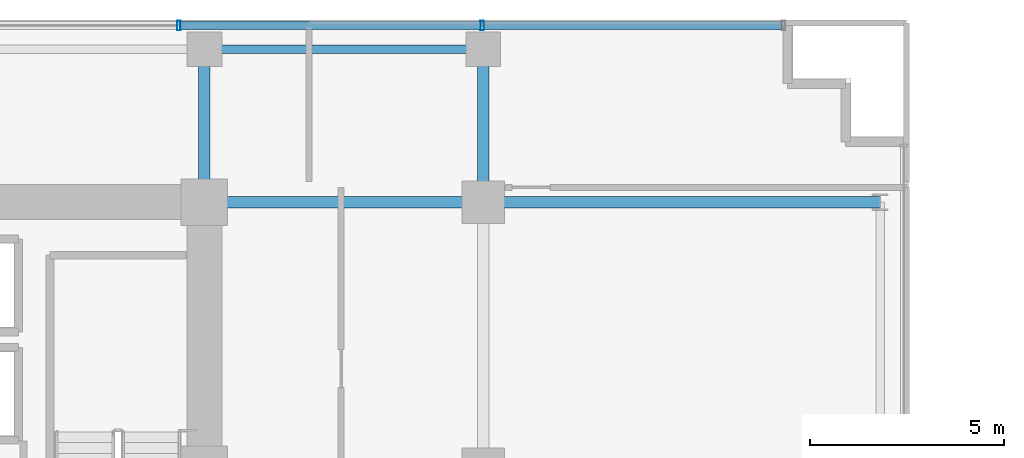
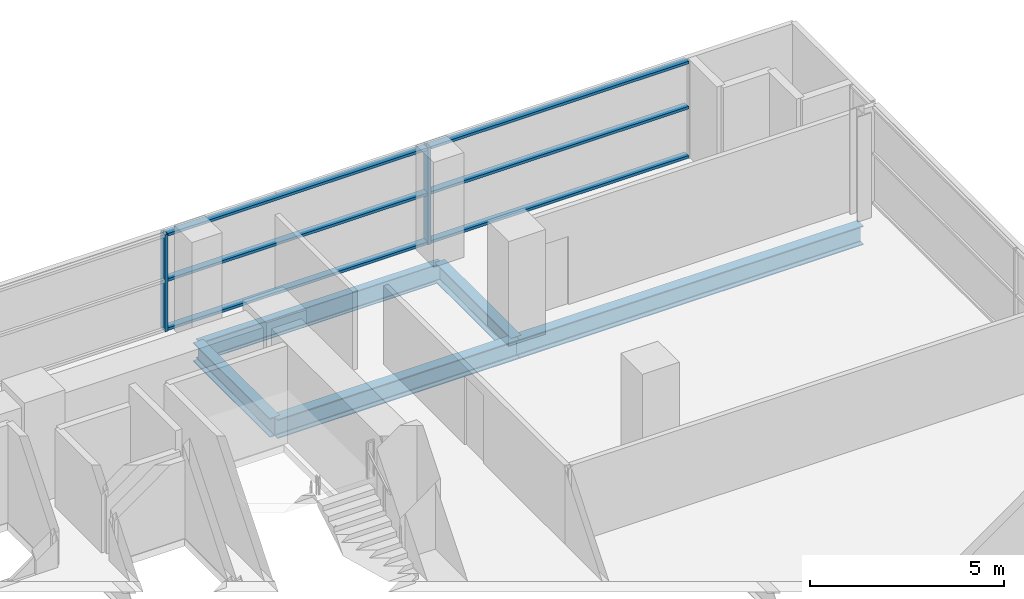
# One storey, part 16 of 26: 8 members, 5 beams, 1 element without a shape of its own.
"""IFC4 building model written with IfcOpenShell, lengths in metres."""

from ifc_helpers import new_model, si_unit, direction, frame, origin, origin_2d, place, context, subcontext, project, spatial, hollow_rectangle, i_section, extrude, source, transform, mapped, material, layer, layer_set, material_profile, profile_set, type_object, element, aggregate, save


model = new_model("IFC4")

# Units and contexts
model_context = context("Model", 3, precision=1e-05, world=origin(), true_north=direction((0.0, 1.0)))
body_context = subcontext(model_context, "Body", "Model", "MODEL_VIEW")
ifc_project = project(units=[si_unit("LENGTHUNIT", "METRE"), si_unit("AREAUNIT", "SQUARE_METRE"), si_unit("VOLUMEUNIT", "CUBIC_METRE"), si_unit("PLANEANGLEUNIT", "RADIAN"), si_unit("MASSUNIT", "GRAM", prefix="KILO")], contexts=[model_context])

# Site, building, storey
site_placement = place(None, origin())
site = spatial("IfcSite", under=ifc_project, at=site_placement, CompositionType="ELEMENT")
building_placement = place(site_placement, origin())
building = spatial("IfcBuilding", under=site, at=building_placement, Name="Zarnakvel Exchange Tower", CompositionType="ELEMENT")
storey_placement = place(building_placement, frame((0.0, 0.0, 63.699951171875)))
storey = spatial("IfcBuildingStorey", under=building, at=storey_placement, Name="L17", CompositionType="ELEMENT", Elevation=63.699951171875)

# Beams
ifc_material_1 = material(Name="Steel S355", Category="steel")
ifc_material_profile_1 = material_profile(ifc_material_1, i_section(OverallWidth=0.300048828125, OverallDepth=0.60009765625, WebThickness=0.015380859375, FlangeThickness=0.030029296875, FilletRadius=0.027099609375, at=origin_2d()))
ifc_profile_set_1 = profile_set([ifc_material_profile_1], Name="Steel S355")
beam_type_1 = type_object("IfcBeamType", Name="G-04", PredefinedType="BEAM", material=ifc_profile_set_1)
beam_1_placement = place(storey_placement, frame((14.39990234375, 13.5, -0.52490234375), z_axis=(1.0, 0.0, 0.0), x_axis=(0.0, 1.0, 0.0)))
element("IfcBeam", 1, at=beam_1_placement, inside=storey, type_object=beam_type_1, Name="L17 Tower E-W Frame Beam", PredefinedType="BEAM", context=body_context, shape_type="SweptSolid", body=[
    extrude(i_section(OverallWidth=0.300048828125, OverallDepth=0.60009765625, WebThickness=0.015380859375, FlangeThickness=0.030029296875, FilletRadius=0.027099609375, at=origin_2d()), origin(), (0.0, 0.0, 1.0), 7.2001953125),
])
beam_2_placement = place(storey_placement, frame((21.60009765625, 13.5, -0.52490234375), z_axis=(1.0, 0.0, 0.0), x_axis=(0.0, 1.0, 0.0)))
element("IfcBeam", 2, at=beam_2_placement, inside=storey, type_object=beam_type_1, Name="L17 Tower E-W Frame Beam", PredefinedType="BEAM", context=body_context, shape_type="SweptSolid", body=[
    extrude(i_section(OverallWidth=0.300048828125, OverallDepth=0.60009765625, WebThickness=0.015380859375, FlangeThickness=0.030029296875, FilletRadius=0.027099609375, at=origin_2d()), origin(), (0.0, 0.0, 1.0), 10.25),
])
for number, where, z_axis, x_axis, name in (
    (3, (14.39990234375, 13.5, -0.52490234375), (0.0, 1.0, 0.0), (-1.0, 0.0, 0.0), "L17 Tower N-S Frame Beam"),
    (4, (21.60009765625, 13.5, -0.52490234375), (0.0, 1.0, 0.0), (-1.0, 0.0, 0.0), "L17 Tower N-S Frame Beam"),
):
    element("IfcBeam", number, at=place(storey_placement, frame(where, z_axis=z_axis, x_axis=x_axis)), inside=storey, type_object=beam_type_1, Name=name, PredefinedType="BEAM", context=body_context, shape_type="SweptSolid", body=[
        extrude(i_section(OverallWidth=0.300048828125, OverallDepth=0.60009765625, WebThickness=0.015380859375, FlangeThickness=0.030029296875, FilletRadius=0.027099609375, at=origin_2d()), origin(), (0.0, 0.0, 1.0), 3.949951171875),
    ])
ifc_material_profile_2 = material_profile(ifc_material_1, i_section(OverallWidth=0.219970703125, OverallDepth=0.60009765625, WebThickness=0.011962890625, FlangeThickness=0.01904296875, FilletRadius=0.02392578125, at=origin_2d()))
ifc_profile_set_2 = profile_set([ifc_material_profile_2], Name="Steel S355")
beam_type_2 = type_object("IfcBeamType", Name="SP-01", PredefinedType="SPANDREL", material=ifc_profile_set_2)
beam_3_placement = place(storey_placement, frame((14.39990234375, 17.449951171875, -0.52490234375), z_axis=(1.0, 0.0, 0.0), x_axis=(0.0, 1.0, 0.0)))
element("IfcBeam", 5, at=beam_3_placement, inside=storey, type_object=beam_type_2, Name="L17 Tower E-W Frame Beam", PredefinedType="SPANDREL", context=body_context, shape_type="SweptSolid", body=[
    extrude(i_section(OverallWidth=0.219970703125, OverallDepth=0.60009765625, WebThickness=0.011962890625, FlangeThickness=0.01904296875, FilletRadius=0.02392578125, at=origin_2d()), origin(), (0.0, 0.0, 1.0), 7.2001953125),
])

# Curtain wall, members
ifc_material_2 = material(Name="Architectural Bronze Anodised Aluminium", Category="aluminium")
ifc_layer = layer(ifc_material_2, 0.239990234375)
ifc_layer_set = layer_set([ifc_layer], Name="Architectural Bronze Anodised Aluminium")
curtain_wall_type = type_object("IfcCurtainWallType", Name="CW-02", PredefinedType="NOTDEFINED", material=ifc_layer_set)
curtain_wall_placement = place(storey_placement, origin())
curtain_wall = element("IfcCurtainWall", 6, at=curtain_wall_placement, inside=storey, type_object=curtain_wall_type, Name="L17 Curtain Wall CW-L17-N1 (CW-02)", PredefinedType="NOTDEFINED")
ifc_material_profile_3 = material_profile(ifc_material_2, hollow_rectangle(XDim=0.199951171875, YDim=0.0849609375, WallThickness=0.0048828125, at=origin_2d()))
ifc_profile_set_3 = profile_set([ifc_material_profile_3], Name="Architectural Bronze Anodised Aluminium")
member_type_1 = type_object("IfcMemberType", Name="CWT-02", PredefinedType="USERDEFINED", material=ifc_profile_set_3)
shared_shape_1 = source(origin(), body_context, "Body", "SweptSolid", [
    extrude(hollow_rectangle(XDim=0.199951171875, YDim=0.0849609375, WallThickness=0.0048828125, at=origin_2d()), origin(), (0.0, 0.0, 1.0), 7.693603515625),
])
member_1_placement = place(storey_placement, frame((21.616455078125, 18.06005859375, 0.04248046875), z_axis=(1.0, 0.0, 0.0), x_axis=(0.0, 1.0, 0.0)))
member_1 = element("IfcMember", 7, at=member_1_placement, type_object=member_type_1, Name="CW-02 transom 7.1", ObjectType="TRANSOM", PredefinedType="USERDEFINED", context=body_context, shape_type="MappedRepresentation", body=[
    mapped(shared_shape_1, transform((0.0, 0.0, 0.0), x_axis=(1.0, 0.0, 0.0), y_axis=(0.0, 1.0, 0.0), z_axis=(0.0, 0.0, 1.0), scale=1.0)),
])
member_2_placement = place(storey_placement, frame((21.616455078125, 18.06005859375, 1.588623046875), z_axis=(1.0, 0.0, 0.0), x_axis=(0.0, 1.0, 0.0)))
member_2 = element("IfcMember", 8, at=member_2_placement, type_object=member_type_1, Name="CW-02 transom 7.2", ObjectType="TRANSOM", PredefinedType="USERDEFINED", context=body_context, shape_type="MappedRepresentation", body=[
    mapped(shared_shape_1, transform((0.0, 0.0, 0.0), x_axis=(1.0, 0.0, 0.0), y_axis=(0.0, 1.0, 0.0), z_axis=(0.0, 0.0, 1.0), scale=1.0)),
])
member_3_placement = place(storey_placement, frame((21.616455078125, 18.06005859375, 3.012451171875), z_axis=(1.0, 0.0, 0.0), x_axis=(0.0, 1.0, 0.0)))
member_3 = element("IfcMember", 9, at=member_3_placement, type_object=member_type_1, Name="CW-02 transom 7.3", ObjectType="TRANSOM", PredefinedType="USERDEFINED", context=body_context, shape_type="MappedRepresentation", body=[
    mapped(shared_shape_1, transform((0.0, 0.0, 0.0), x_axis=(1.0, 0.0, 0.0), y_axis=(0.0, 1.0, 0.0), z_axis=(0.0, 0.0, 1.0), scale=1.0)),
])
shared_shape_2 = source(origin(), body_context, "Body", "SweptSolid", [
    extrude(hollow_rectangle(XDim=0.199951171875, YDim=0.0849609375, WallThickness=0.0048828125, at=origin_2d()), origin(), (0.0, 0.0, 1.0), 7.738525390625),
])
member_4_placement = place(storey_placement, frame((13.787841796875, 18.06005859375, 0.04248046875), z_axis=(1.0, 0.0, 0.0), x_axis=(0.0, 1.0, 0.0)))
member_4 = element("IfcMember", 10, at=member_4_placement, type_object=member_type_1, Name="CW-02 transom 6.1", ObjectType="TRANSOM", PredefinedType="USERDEFINED", context=body_context, shape_type="MappedRepresentation", body=[
    mapped(shared_shape_2, transform((0.0, 0.0, 0.0), x_axis=(1.0, 0.0, 0.0), y_axis=(0.0, 1.0, 0.0), z_axis=(0.0, 0.0, 1.0), scale=1.0)),
])
member_5_placement = place(storey_placement, frame((13.787841796875, 18.06005859375, 1.588623046875), z_axis=(1.0, 0.0, 0.0), x_axis=(0.0, 1.0, 0.0)))
member_5 = element("IfcMember", 11, at=member_5_placement, type_object=member_type_1, Name="CW-02 transom 6.2", ObjectType="TRANSOM", PredefinedType="USERDEFINED", context=body_context, shape_type="MappedRepresentation", body=[
    mapped(shared_shape_2, transform((0.0, 0.0, 0.0), x_axis=(1.0, 0.0, 0.0), y_axis=(0.0, 1.0, 0.0), z_axis=(0.0, 0.0, 1.0), scale=1.0)),
])
member_6_placement = place(storey_placement, frame((13.787841796875, 18.06005859375, 3.012451171875), z_axis=(1.0, 0.0, 0.0), x_axis=(0.0, 1.0, 0.0)))
member_6 = element("IfcMember", 12, at=member_6_placement, type_object=member_type_1, Name="CW-02 transom 6.3", ObjectType="TRANSOM", PredefinedType="USERDEFINED", context=body_context, shape_type="MappedRepresentation", body=[
    mapped(shared_shape_2, transform((0.0, 0.0, 0.0), x_axis=(1.0, 0.0, 0.0), y_axis=(0.0, 1.0, 0.0), z_axis=(0.0, 0.0, 1.0), scale=1.0)),
])
ifc_material_profile_4 = material_profile(ifc_material_2, hollow_rectangle(XDim=0.239990234375, YDim=0.090087890625, WallThickness=0.006103515625, at=origin_2d()))
ifc_profile_set_4 = profile_set([ifc_material_profile_4], Name="Architectural Bronze Anodised Aluminium")
member_type_2 = type_object("IfcMemberType", Name="CWM-02", PredefinedType="MULLION", material=ifc_profile_set_4)
shared_shape_3 = source(origin(), body_context, "Body", "SweptSolid", [
    extrude(hollow_rectangle(XDim=0.239990234375, YDim=0.090087890625, WallThickness=0.006103515625, at=origin_2d()), origin(), (0.0, 0.0, 1.0), 3.054931640625),
])
member_7_placement = place(storey_placement, frame((13.742919921875, 18.06005859375, 0.0), z_axis=(0.0, 0.0, 1.0), x_axis=(0.0, 1.0, 0.0)))
member_7 = element("IfcMember", 13, at=member_7_placement, type_object=member_type_2, Name="CW-02 mullion 6", PredefinedType="MULLION", context=body_context, shape_type="MappedRepresentation", body=[
    mapped(shared_shape_3, transform((0.0, 0.0, 0.0), x_axis=(1.0, 0.0, 0.0), y_axis=(0.0, 1.0, 0.0), z_axis=(0.0, 0.0, 1.0), scale=1.0)),
])
member_8_placement = place(storey_placement, frame((21.571533203125, 18.06005859375, 0.0), z_axis=(0.0, 0.0, 1.0), x_axis=(0.0, 1.0, 0.0)))
member_8 = element("IfcMember", 14, at=member_8_placement, type_object=member_type_2, Name="CW-02 mullion 7", PredefinedType="MULLION", context=body_context, shape_type="MappedRepresentation", body=[
    mapped(shared_shape_3, transform((0.0, 0.0, 0.0), x_axis=(1.0, 0.0, 0.0), y_axis=(0.0, 1.0, 0.0), z_axis=(0.0, 0.0, 1.0), scale=1.0)),
])
aggregate(curtain_wall, [member_7, member_8, member_4, member_5, member_6, member_1, member_2, member_3])

save(model, "model.ifc")
